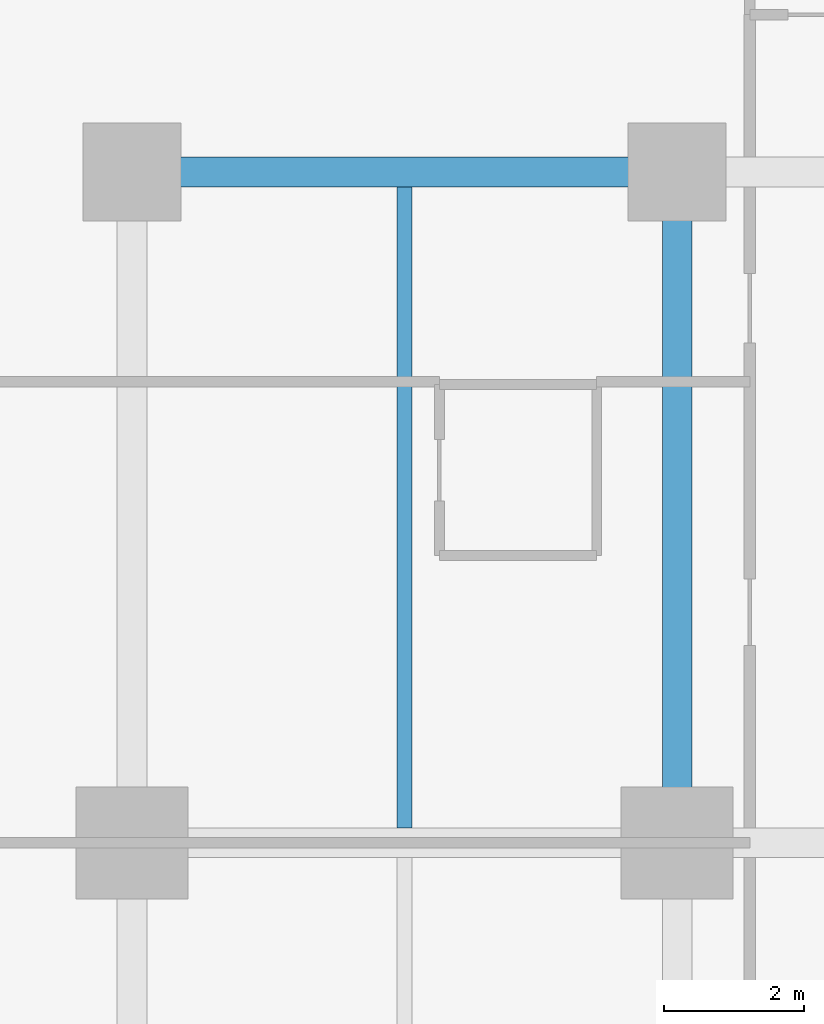
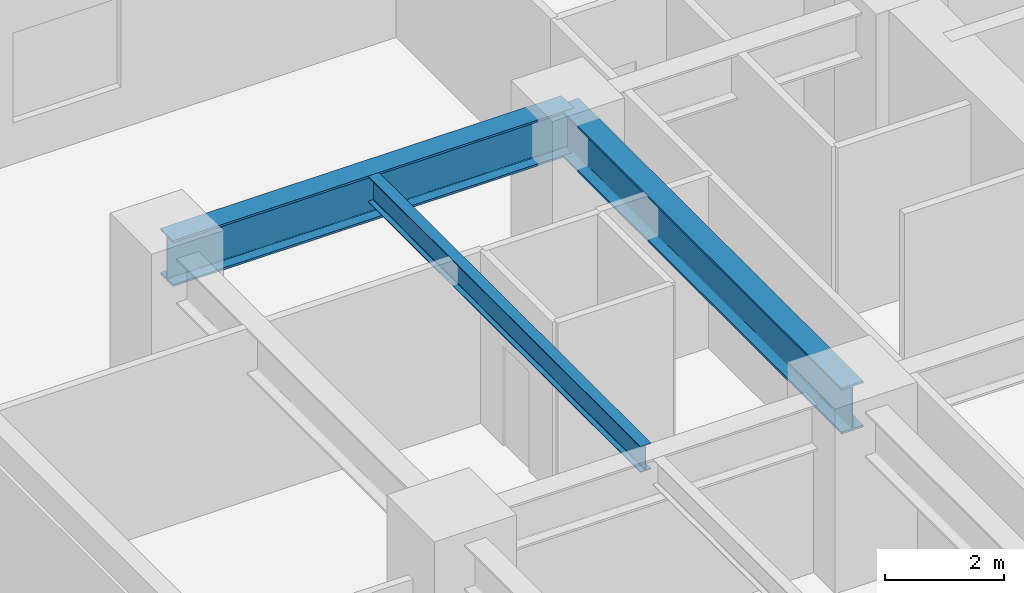
# One storey, part 2 of 12: 3 beams.
"""IFC4 building model written with IfcOpenShell, lengths in metres."""

from ifc_helpers import new_model, si_unit, direction, frame, origin, origin_2d, place, context, subcontext, project, spatial, i_section, extrude, material, material_profile, profile_set, type_object, element, save


model = new_model("IFC4")

# Units and contexts
model_context = context("Model", 3, precision=1e-05, world=origin(), true_north=direction((0.0, 1.0)))
body_context = subcontext(model_context, "Body", "Model", "MODEL_VIEW")
ifc_project = project(units=[si_unit("LENGTHUNIT", "METRE"), si_unit("AREAUNIT", "SQUARE_METRE"), si_unit("VOLUMEUNIT", "CUBIC_METRE"), si_unit("PLANEANGLEUNIT", "RADIAN"), si_unit("MASSUNIT", "GRAM", prefix="KILO")], contexts=[model_context])

# Site, building, storey
site_placement = place(None, origin())
site = spatial("IfcSite", under=ifc_project, at=site_placement, CompositionType="ELEMENT")
building_placement = place(site_placement, origin())
building = spatial("IfcBuilding", under=site, at=building_placement, Name="Kestravale Grand Hotel", CompositionType="ELEMENT")
storey_placement = place(building_placement, frame((0.0, 0.0, 33.60009765625)))
storey = spatial("IfcBuildingStorey", under=building, at=storey_placement, Name="L07", CompositionType="ELEMENT", Elevation=33.60009765625)

# Beams
ifc_material_1 = material(Name="Steel ASTM A992 Grade 50", Category="steel")
ifc_material_profile_1 = material_profile(ifc_material_1, i_section(OverallWidth=0.2099609375, OverallDepth=0.535888671875, WebThickness=0.010986328125, FlangeThickness=0.017333984375, FilletRadius=0.017578125, at=origin_2d()))
ifc_profile_set_1 = profile_set([ifc_material_profile_1], Name="Steel ASTM A992 Grade 50")
beam_type_1 = type_object("IfcBeamType", Name="B-FLR-JST21", PredefinedType="JOIST", material=ifc_profile_set_1)
beam_1_placement = place(storey_placement, frame((11.699951171875, 29.011962890625, 3.27197265625), z_axis=(0.0, 1.0, 0.0), x_axis=(-1.0, 0.0, 0.0)))
element("IfcBeam", 1, at=beam_1_placement, inside=storey, type_object=beam_type_1, Name="L07 floor joist 2-3/E-F #1", PredefinedType="JOIST", context=body_context, shape_type="SweptSolid", body=[
    extrude(i_section(OverallWidth=0.2099609375, OverallDepth=0.535888671875, WebThickness=0.010986328125, FlangeThickness=0.017333984375, FilletRadius=0.017578125, at=origin_2d()), origin(), (0.0, 0.0, 1.0), 9.176025390625),
])
ifc_material_2 = material(Name="Steel ASTM A992 Grade 50", Category="steel")
ifc_material_profile_2 = material_profile(ifc_material_2, i_section(OverallWidth=0.424072265625, OverallDepth=0.947021484375, WebThickness=0.02392578125, FlangeThickness=0.042724609375, FilletRadius=0.0283203125, at=origin_2d()))
ifc_profile_set_2 = profile_set([ifc_material_profile_2], Name="Steel ASTM A992 Grade 50")
beam_type_2 = type_object("IfcBeamType", Name="B-GRD-W36", PredefinedType="BEAM", material=ifc_profile_set_2)
beam_2_placement = place(storey_placement, frame((7.800048828125, 38.39990234375, 3.06640625), z_axis=(1.0, 0.0, 0.0), x_axis=(0.0, 1.0, 0.0)))
element("IfcBeam", 2, at=beam_2_placement, inside=storey, type_object=beam_type_2, Name="L07 girder F:2-3", PredefinedType="BEAM", context=body_context, shape_type="SweptSolid", body=[
    extrude(i_section(OverallWidth=0.424072265625, OverallDepth=0.947021484375, WebThickness=0.02392578125, FlangeThickness=0.042724609375, FilletRadius=0.0283203125, at=origin_2d()), origin(), (0.0, 0.0, 1.0), 7.800048828125),
])
beam_3_placement = place(storey_placement, frame((15.60009765625, 28.800048828125, 3.06640625), z_axis=(0.0, 1.0, 0.0), x_axis=(-1.0, 0.0, 0.0)))
element("IfcBeam", 3, at=beam_3_placement, inside=storey, type_object=beam_type_2, Name="L07 girder 3:E-F", PredefinedType="BEAM", context=body_context, shape_type="SweptSolid", body=[
    extrude(i_section(OverallWidth=0.424072265625, OverallDepth=0.947021484375, WebThickness=0.02392578125, FlangeThickness=0.042724609375, FilletRadius=0.0283203125, at=origin_2d()), origin(), (0.0, 0.0, 1.0), 9.599853515625),
])

save(model, "model.ifc")
